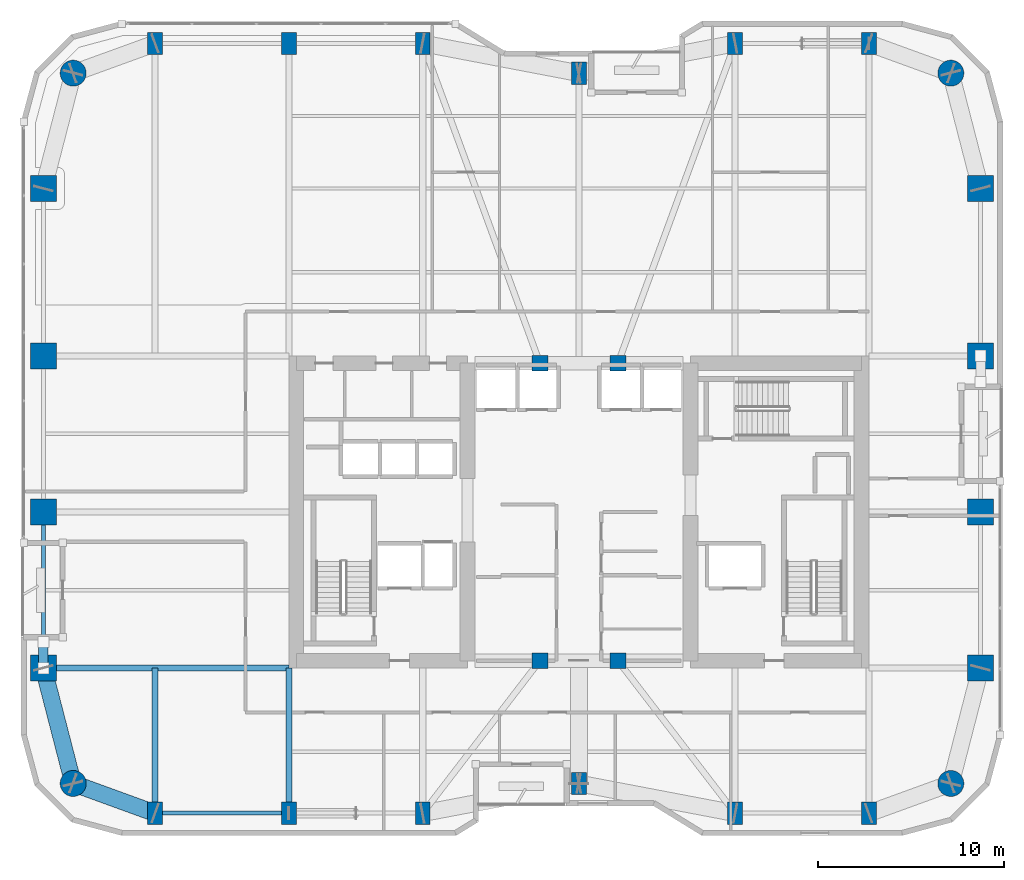
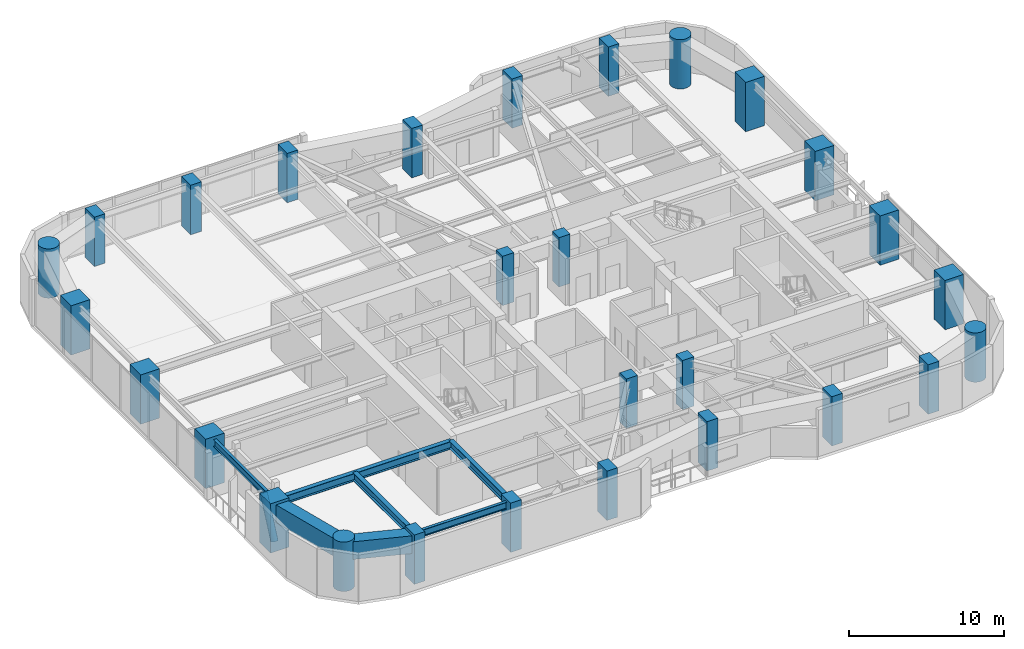
# One storey, part 1 of 30: 28 columns, 7 beams, 1 member.
"""IFC4 building model written with IfcOpenShell, lengths in metres."""

import ifcopenshell
import ifcopenshell.guid

model = None  # the IFC model being written
_history = None  # IfcOwnerHistory: only IFC2X3 demands one
_inside = {}  # id of a spatial element -> (the spatial element, [elements in it])
_under = {}  # id of a project, library or spatial element -> (it, [spatial elements below it])
_declared = {}  # id of a project -> (the project, [libraries it declares])
_typed = {}  # id of a type object -> (the type object, [elements of that type])
_made_of = {}  # id of a material, layer set ... -> (it, [elements and type objects made of it])


def new_model(schema):
    """Start an empty IFC model of exactly this schema.

    Asked for "IFC4X3", IfcOpenShell would pick the latest addendum, in which some entities
    have other attributes; the version numbers below select the first issue.
    IFC2X3 requires an IfcOwnerHistory on every rooted entity: one is made here for all.
    """
    global model, _history
    if schema == "IFC4X3":
        model = ifcopenshell.file(schema_version=(4, 3, 0, 0))
    else:
        model = ifcopenshell.file(schema=schema)
    _inside.clear()
    _under.clear()
    _declared.clear()
    _typed.clear()
    _made_of.clear()
    _history = None
    if model.schema == "IFC2X3":
        org = make("IfcOrganization", Name="unknown")
        user = make(
            "IfcPersonAndOrganization",
            ThePerson=make("IfcPerson", FamilyName="unknown"),
            TheOrganization=org,
        )
        app = make(
            "IfcApplication",
            ApplicationDeveloper=org,
            Version="unknown",
            ApplicationFullName="unknown",
            ApplicationIdentifier="unknown",
        )
        _history = make(
            "IfcOwnerHistory",
            OwningUser=user,
            OwningApplication=app,
            ChangeAction="ADDED",
            CreationDate=0,
        )
    return model


def make(cls, **values):
    """One entity of the class cls with the attributes given. An attribute that is None is left unset."""
    return model.create_entity(
        cls, **{name: value for name, value in values.items() if value is not None}
    )


def rooted(cls, **values):
    """An entity with a GlobalId (a new one), such as an element, a storey or a relation."""
    return make(cls, GlobalId=ifcopenshell.guid.new(), OwnerHistory=_history, **values)


def si_unit(unit_type, name, prefix=None):
    """IfcSIUnit, for example si_unit("LENGTHUNIT", "METRE", prefix="MILLI")."""
    return make("IfcSIUnit", UnitType=unit_type, Prefix=prefix, Name=name)


def assignment(units):
    """IfcUnitAssignment: the units of a project."""
    return None if units is None else make("IfcUnitAssignment", Units=units)


def point(xyz):
    """IfcCartesianPoint."""
    return None if xyz is None else make("IfcCartesianPoint", Coordinates=xyz)


def direction(xyz):
    """IfcDirection."""
    return None if xyz is None else make("IfcDirection", DirectionRatios=xyz)


def frame(location, z_axis=None, x_axis=None):
    """IfcAxis2Placement3D, a coordinate frame: its origin and axes. An axis left out is left unset."""
    return make(
        "IfcAxis2Placement3D",
        Location=point(location),
        Axis=direction(z_axis),
        RefDirection=direction(x_axis),
    )


def frame_2d(location, x_axis=None):
    """IfcAxis2Placement2D, a coordinate frame in the plane: its origin and x axis."""
    return make(
        "IfcAxis2Placement2D", Location=point(location), RefDirection=direction(x_axis)
    )


def origin():
    """The frame at (0, 0, 0) with its axes left unset."""
    return frame((0.0, 0.0, 0.0))


def origin_2d():
    """The frame at (0, 0) in the plane with its x axis left unset."""
    return frame_2d((0.0, 0.0))


def place(relative_to, where):
    """IfcLocalPlacement: puts the frame where relative to a parent placement (None: the world)."""
    return make(
        "IfcLocalPlacement", PlacementRelTo=relative_to, RelativePlacement=where
    )


def context(
    kind, dimensions, precision=None, world=None, true_north=None, identifier=None
):
    """IfcGeometricRepresentationContext, for example the 3D "Model" context."""
    return make(
        "IfcGeometricRepresentationContext",
        ContextIdentifier=identifier,
        ContextType=kind,
        CoordinateSpaceDimension=dimensions,
        Precision=precision,
        WorldCoordinateSystem=world,
        TrueNorth=true_north,
    )


def subcontext(parent, identifier, kind, view, scale=None):
    """IfcGeometricRepresentationSubContext, for example "Body" below "Model"."""
    return make(
        "IfcGeometricRepresentationSubContext",
        ContextIdentifier=identifier,
        ContextType=kind,
        ParentContext=parent,
        TargetScale=scale,
        TargetView=view,
    )


def project(units=None, contexts=None):
    """IfcProject with its units and contexts."""
    return rooted(
        "IfcProject",
        Name="project",
        RepresentationContexts=contexts,
        UnitsInContext=assignment(units),
    )


def spatial(cls, under=None, at=None, **own):
    """A site, building, storey or space (cls), placed at a placement, below another one or the project."""
    s = rooted(cls, ObjectPlacement=at, **own)
    if under is not None:
        _under.setdefault(under.id(), (under, []))[1].append(s)
    return s


def profile(cls, at=None, kind="AREA", **sizes):
    """A parametric profile (cls). Its sizes go by their IFC names, for example OverallWidth=200.0."""
    return make(cls, ProfileType=kind, Position=at, **sizes)


def rectangle(**sizes):
    """IfcRectangleProfileDef."""
    return profile("IfcRectangleProfileDef", **sizes)


def hollow_rectangle(**sizes):
    """IfcRectangleHollowProfileDef."""
    return profile("IfcRectangleHollowProfileDef", **sizes)


def circle(**sizes):
    """IfcCircleProfileDef."""
    return profile("IfcCircleProfileDef", **sizes)


def hollow_circle(**sizes):
    """IfcCircleHollowProfileDef."""
    return profile("IfcCircleHollowProfileDef", **sizes)


def i_section(**sizes):
    """IfcIShapeProfileDef."""
    return profile("IfcIShapeProfileDef", **sizes)


def extrude(swept, where, along, depth):
    """IfcExtrudedAreaSolid: the profile swept, set in the frame where, extruded along a direction by depth."""
    return make(
        "IfcExtrudedAreaSolid",
        SweptArea=swept,
        Position=where,
        ExtrudedDirection=direction(along),
        Depth=depth,
    )


def shape(context_of_items, identifier, shape_type, items):
    """IfcShapeRepresentation: the items that make up one representation, for example the "Body"."""
    return make(
        "IfcShapeRepresentation",
        ContextOfItems=context_of_items,
        RepresentationIdentifier=identifier,
        RepresentationType=shape_type,
        Items=items,
    )


def material(Name=None, Category=None):
    """IfcMaterial."""
    return make("IfcMaterial", Name=Name, Category=Category)


def material_profile(
    of_material, cross_section, Name=None, Category=None, Priority=None
):
    """IfcMaterialProfile: a cross section and its material."""
    return make(
        "IfcMaterialProfile",
        Name=Name,
        Material=of_material,
        Profile=cross_section,
        Priority=Priority,
        Category=Category,
    )


def profile_set(profiles, Name=None, composite=None):
    """IfcMaterialProfileSet."""
    return make(
        "IfcMaterialProfileSet",
        Name=Name,
        MaterialProfiles=profiles,
        CompositeProfile=composite,
    )


def made_of(thing, what):
    """Note that an element or type object is made of a material, layer set ...; save() writes the relation."""
    if what is not None:
        _made_of.setdefault(what.id(), (what, []))[1].append(thing)
    return thing


def type_object(cls, material=None, **own):
    """A type object (cls), such as IfcWallType, which elements share."""
    return made_of(rooted(cls, **own), material)


def element(
    cls,
    number,
    at=None,
    inside=None,
    cuts=None,
    type_object=None,
    material=None,
    context=None,
    identifier="Body",
    shape_type=None,
    held_by="IfcProductDefinitionShape",
    body=None,
    shapes=None,
    **own,
):
    """One element of the class cls, such as IfcWall. Its Tag is "e" and its number.

    at: its placement. inside: the storey or other place that contains it. cuts: it is an
    opening in that element (IfcRelVoidsElement). A single representation is given by context,
    identifier, shape_type and body (its items); several are given by shapes. held_by: the class
    of the entity that holds the representations. save() writes the other relations.
    """
    e = rooted(cls, Tag="e%d" % number, ObjectPlacement=at, **own)
    if body is not None:
        shapes = [shape(context, identifier, shape_type, body)]
    if shapes is not None:
        e.Representation = make(held_by, Representations=shapes)
    if inside is not None:
        _inside.setdefault(inside.id(), (inside, []))[1].append(e)
    if cuts is not None:
        rooted(
            "IfcRelVoidsElement", RelatingBuildingElement=cuts, RelatedOpeningElement=e
        )
    if type_object is not None:
        _typed.setdefault(type_object.id(), (type_object, []))[1].append(e)
    return made_of(e, material)


def aggregate(whole, parts):
    """IfcRelAggregates: a whole, such as a stair, and the parts it consists of."""
    return rooted("IfcRelAggregates", RelatingObject=whole, RelatedObjects=parts)


def save(model, path):
    """Write the relations noted so far, then the file.

    IfcRelAggregates (storeys below a building ...), IfcRelContainedInSpatialStructure (elements
    in a storey), IfcRelDefinesByType, IfcRelAssociatesMaterial and IfcRelDeclares: one each for
    every whole, place, type object, material and project.
    """
    for whole, parts in _under.values():
        aggregate(whole, parts)
    for where, things in _inside.values():
        rooted(
            "IfcRelContainedInSpatialStructure",
            RelatedElements=things,
            RelatingStructure=where,
        )
    for kind, things in _typed.values():
        rooted("IfcRelDefinesByType", RelatedObjects=things, RelatingType=kind)
    for what, things in _made_of.values():
        rooted("IfcRelAssociatesMaterial", RelatedObjects=things, RelatingMaterial=what)
    for by, libraries in _declared.values():
        rooted("IfcRelDeclares", RelatingContext=by, RelatedDefinitions=libraries)
    model.write(path)


model = new_model("IFC4")

# Units and contexts
model_context = context("Model", 3, precision=1e-05, world=origin(), true_north=direction((0.0, 1.0)))
body_context = subcontext(model_context, "Body", "Model", "MODEL_VIEW")
ifc_project = project(units=[si_unit("LENGTHUNIT", "METRE"), si_unit("AREAUNIT", "SQUARE_METRE"), si_unit("VOLUMEUNIT", "CUBIC_METRE"), si_unit("PLANEANGLEUNIT", "RADIAN"), si_unit("MASSUNIT", "GRAM", prefix="KILO")], contexts=[model_context])

# Site, building, storey
site_placement = place(None, origin())
site = spatial("IfcSite", under=ifc_project, at=site_placement, CompositionType="ELEMENT")
building_placement = place(site_placement, origin())
building = spatial("IfcBuilding", under=site, at=building_placement, Name="Kiyonajd Concourse Tower", CompositionType="ELEMENT")
storey_placement = place(building_placement, frame((0.0, 0.0, 150.60009765625)))
storey = spatial("IfcBuildingStorey", under=building, at=storey_placement, Name="L38", CompositionType="ELEMENT", Elevation=150.60009765625)

# Columns
ifc_material_1 = material(Name="Concrete C70/85", Category="concrete")
ifc_material_profile_1 = material_profile(ifc_material_1, rectangle(XDim=0.800048828125, YDim=1.199951171875, at=origin_2d()), Name="RC-1200x800")
ifc_profile_set_1 = profile_set([ifc_material_profile_1], Name="Concrete C70/85")
column_type_1 = type_object("IfcColumnType", Name="CL-BLADE-1200", PredefinedType="COLUMN", material=ifc_profile_set_1)
for number, where, z_axis, x_axis, name in (
    (1, (25.199951171875, 19.800048828125, 0.0), (0.0, 0.0, 1.0), (1.0, 0.0, 0.0), "L38 Perimeter Bundled Tube Column"),
    (2, (25.199951171875, 61.199951171875, 0.0), (0.0, 0.0, 1.0), (1.0, 0.0, 0.0), "L38 Perimeter Bundled Tube Column"),
    (3, (32.39990234375, 19.800048828125, 0.0), (0.0, 0.0, 1.0), (1.0, 0.0, 0.0), "L38 Perimeter Bundled Tube Column"),
    (4, (32.39990234375, 61.199951171875, 0.0), (0.0, 0.0, 1.0), (1.0, 0.0, 0.0), "L38 Perimeter Bundled Tube Column"),
    (5, (39.60009765625, 19.800048828125, 0.0), (0.0, 0.0, 1.0), (1.0, 0.0, 0.0), "L38 Perimeter Bundled Tube Column"),
    (6, (39.60009765625, 61.199951171875, 0.0), (0.0, 0.0, 1.0), (1.0, 0.0, 0.0), "L38 Perimeter Bundled Tube Column"),
    (7, (48.0, 21.39990234375, 0.0), (0.0, 0.0, 1.0), (1.0, 0.0, 0.0), "L38 Perimeter Bundled Tube Column"),
    (8, (48.0, 59.60009765625, 0.0), (0.0, 0.0, 1.0), (1.0, 0.0, 0.0), "L38 Perimeter Bundled Tube Column"),
    (9, (56.39990234375, 19.800048828125, 0.0), (0.0, 0.0, 1.0), (1.0, 0.0, 0.0), "L38 Perimeter Bundled Tube Column"),
    (10, (56.39990234375, 61.199951171875, 0.0), (0.0, 0.0, 1.0), (1.0, 0.0, 0.0), "L38 Perimeter Bundled Tube Column"),
    (11, (63.60009765625, 19.800048828125, 0.0), (0.0, 0.0, 1.0), (1.0, 0.0, 0.0), "L38 Perimeter Bundled Tube Column"),
    (12, (63.60009765625, 61.199951171875, 0.0), (0.0, 0.0, 1.0), (1.0, 0.0, 0.0), "L38 Perimeter Bundled Tube Column"),
):
    element("IfcColumn", number, at=place(storey_placement, frame(where, z_axis=z_axis, x_axis=x_axis)), inside=storey, type_object=column_type_1, Name=name, PredefinedType="COLUMN", context=body_context, shape_type="SweptSolid", body=[
        extrude(rectangle(XDim=0.800048828125, YDim=1.199951171875, at=origin_2d()), origin(), (0.0, 0.0, 1.0), 3.89990234375),
    ])
ifc_material_2 = material(Name="Concrete C80/95", Category="concrete")
ifc_material_profile_2 = material_profile(ifc_material_2, circle(Radius=0.699951171875, at=origin_2d()), Name="RCC-D1400")
ifc_profile_set_2 = profile_set([ifc_material_profile_2], Name="Concrete C80/95")
column_type_2 = type_object("IfcColumnType", Name="CL-RND-1400", PredefinedType="COLUMN", material=ifc_profile_set_2)
for number, where, z_axis, x_axis, name in (
    (13, (20.800048828125, 21.39990234375, 0.0), (0.0, 0.0, 1.0), (1.0, 0.0, 0.0), "L38 Bundled Tube Corner Column South West"),
    (14, (68.0, 21.39990234375, 0.0), (0.0, 0.0, 1.0), (1.0, 0.0, 0.0), "L38 Bundled Tube Corner Column South East"),
    (15, (68.0, 59.60009765625, 0.0), (0.0, 0.0, 1.0), (1.0, 0.0, 0.0), "L38 Bundled Tube Corner Column North East"),
    (16, (20.800048828125, 59.60009765625, 0.0), (0.0, 0.0, 1.0), (1.0, 0.0, 0.0), "L38 Bundled Tube Corner Column North West"),
):
    element("IfcColumn", number, at=place(storey_placement, frame(where, z_axis=z_axis, x_axis=x_axis)), inside=storey, type_object=column_type_2, Name=name, PredefinedType="COLUMN", context=body_context, shape_type="SweptSolid", body=[
        extrude(circle(Radius=0.699951171875, at=origin_2d()), origin(), (0.0, 0.0, 1.0), 3.89990234375),
    ])
ifc_material_profile_3 = material_profile(ifc_material_1, rectangle(XDim=1.39990234375, YDim=1.39990234375, at=origin_2d()), Name="RC-1400x1400")
ifc_profile_set_3 = profile_set([ifc_material_profile_3], Name="Concrete C70/85")
column_type_3 = type_object("IfcColumnType", Name="CL-TUBE-1400", PredefinedType="COLUMN", material=ifc_profile_set_3)
for number, where, z_axis, x_axis, name in (
    (17, (19.199951171875, 27.60009765625, 0.0), (0.0, 0.0, 1.0), (1.0, 0.0, 0.0), "L38 Perimeter Bundled Tube Column"),
    (18, (69.60009765625, 27.60009765625, 0.0), (0.0, 0.0, 1.0), (1.0, 0.0, 0.0), "L38 Perimeter Bundled Tube Column"),
    (19, (19.199951171875, 36.0, 0.0), (0.0, 0.0, 1.0), (1.0, 0.0, 0.0), "L38 Perimeter Bundled Tube Column"),
    (20, (69.60009765625, 36.0, 0.0), (0.0, 0.0, 1.0), (1.0, 0.0, 0.0), "L38 Perimeter Bundled Tube Column"),
    (21, (19.199951171875, 44.39990234375, 0.0), (0.0, 0.0, 1.0), (1.0, 0.0, 0.0), "L38 Perimeter Bundled Tube Column"),
    (22, (69.60009765625, 44.39990234375, 0.0), (0.0, 0.0, 1.0), (1.0, 0.0, 0.0), "L38 Perimeter Bundled Tube Column"),
    (23, (19.199951171875, 53.39990234375, 0.0), (0.0, 0.0, 1.0), (1.0, 0.0, 0.0), "L38 Perimeter Bundled Tube Column"),
    (24, (69.60009765625, 53.39990234375, 0.0), (0.0, 0.0, 1.0), (1.0, 0.0, 0.0), "L38 Perimeter Bundled Tube Column"),
):
    element("IfcColumn", number, at=place(storey_placement, frame(where, z_axis=z_axis, x_axis=x_axis)), inside=storey, type_object=column_type_3, Name=name, PredefinedType="COLUMN", context=body_context, shape_type="SweptSolid", body=[
        extrude(rectangle(XDim=1.39990234375, YDim=1.39990234375, at=origin_2d()), origin(), (0.0, 0.0, 1.0), 3.89990234375),
    ])
ifc_material_3 = material(Name="Concrete C60/75", Category="concrete")
ifc_material_profile_4 = material_profile(ifc_material_3, rectangle(XDim=0.85009765625, YDim=0.85009765625, at=origin_2d()), Name="RC-850x850")
ifc_profile_set_4 = profile_set([ifc_material_profile_4], Name="Concrete C60/75")
column_type_4 = type_object("IfcColumnType", Name="CL-TUBE-850", PredefinedType="COLUMN", material=ifc_profile_set_4)
for number, where, z_axis, x_axis, name in (
    (25, (45.89990234375, 28.0, 0.0), (0.0, 0.0, 1.0), (1.0, 0.0, 0.0), "L38 Core Tie Column South West"),
    (26, (50.10009765625, 28.0, 0.0), (0.0, 0.0, 1.0), (1.0, 0.0, 0.0), "L38 Core Tie Column South East"),
    (27, (45.89990234375, 44.0, 0.0), (0.0, 0.0, 1.0), (1.0, 0.0, 0.0), "L38 Core Tie Column North West"),
    (28, (50.10009765625, 44.0, 0.0), (0.0, 0.0, 1.0), (1.0, 0.0, 0.0), "L38 Core Tie Column North East"),
):
    element("IfcColumn", number, at=place(storey_placement, frame(where, z_axis=z_axis, x_axis=x_axis)), inside=storey, type_object=column_type_4, Name=name, PredefinedType="COLUMN", context=body_context, shape_type="SweptSolid", body=[
        extrude(rectangle(XDim=0.85009765625, YDim=0.85009765625, at=origin_2d()), origin(), (0.0, 0.0, 1.0), 3.89990234375),
    ])

# Beams
ifc_material_4 = material(Name="Steel ASTM A992 Grade 50", Category="steel")
ifc_material_profile_5 = material_profile(ifc_material_4, i_section(OverallWidth=0.214111328125, OverallDepth=0.549072265625, WebThickness=0.0146484375, FlangeThickness=0.023681640625, at=origin_2d()), Name="W530X138")
ifc_profile_set_5 = profile_set([ifc_material_profile_5], Name="Steel ASTM A992 Grade 50")
beam_type_1 = type_object("IfcBeamType", Name="BM-SPAN-530A", PredefinedType="SPANDREL", material=ifc_profile_set_5)
beam_1_placement = place(storey_placement, frame((25.199951171875, 19.800048828125, 3.405517578125), z_axis=(1.0, 0.0, 0.0), x_axis=(0.0, 1.0, 0.0)))
element("IfcBeam", 29, at=beam_1_placement, inside=storey, type_object=beam_type_1, Name="L38 Perimeter Bundled Tube Spandrel", PredefinedType="SPANDREL", context=body_context, shape_type="SweptSolid", body=[
    extrude(i_section(OverallWidth=0.214111328125, OverallDepth=0.549072265625, WebThickness=0.0146484375, FlangeThickness=0.023681640625, at=origin_2d()), origin(), (0.0, 0.0, 1.0), 7.199951171875),
])
beam_2_placement = place(storey_placement, frame((19.199951171875, 36.0, 3.405517578125), z_axis=(0.0, -1.0, 0.0), x_axis=(1.0, 0.0, 0.0)))
element("IfcBeam", 30, at=beam_2_placement, inside=storey, type_object=beam_type_1, Name="L38 Perimeter Bundled Tube Spandrel", PredefinedType="SPANDREL", context=body_context, shape_type="SweptSolid", body=[
    extrude(i_section(OverallWidth=0.214111328125, OverallDepth=0.549072265625, WebThickness=0.0146484375, FlangeThickness=0.023681640625, at=origin_2d()), origin(), (0.0, 0.0, 1.0), 8.39990234375),
])
ifc_material_profile_6 = material_profile(ifc_material_4, i_section(OverallWidth=0.326904296875, OverallDepth=0.6220703125, WebThickness=0.015380859375, FlangeThickness=0.0244140625, at=origin_2d()), Name="W610X195")
ifc_profile_set_6 = profile_set([ifc_material_profile_6], Name="Steel ASTM A992 Grade 50")
beam_type_2 = type_object("IfcBeamType", Name="BM-TWR-610A", PredefinedType="BEAM", material=ifc_profile_set_6)
for number, where, z_axis, x_axis, name in (
    (31, (25.199951171875, 19.800048828125, 3.368896484375), (0.0, 1.0, 0.0), (-1.0, 0.0, 0.0), "L38 South Lease Girder"),
    (32, (32.39990234375, 19.800048828125, 3.368896484375), (0.0, 1.0, 0.0), (-1.0, 0.0, 0.0), "L38 South Lease Girder"),
):
    element("IfcBeam", number, at=place(storey_placement, frame(where, z_axis=z_axis, x_axis=x_axis)), inside=storey, type_object=beam_type_2, Name=name, PredefinedType="BEAM", context=body_context, shape_type="SweptSolid", body=[
        extrude(i_section(OverallWidth=0.326904296875, OverallDepth=0.6220703125, WebThickness=0.015380859375, FlangeThickness=0.0244140625, at=origin_2d()), origin(), (0.0, 0.0, 1.0), 7.800048828125),
    ])
beam_3_placement = place(storey_placement, frame((19.199951171875, 27.60009765625, 3.368896484375), z_axis=(1.0, 0.0, 0.0), x_axis=(0.0, 1.0, 0.0)))
element("IfcBeam", 33, at=beam_3_placement, inside=storey, type_object=beam_type_2, Name="L38 West Lease Girder", PredefinedType="BEAM", context=body_context, shape_type="SweptSolid", body=[
    extrude(i_section(OverallWidth=0.326904296875, OverallDepth=0.6220703125, WebThickness=0.015380859375, FlangeThickness=0.0244140625, at=origin_2d()), origin(), (0.0, 0.0, 1.0), 13.199951171875),
])
ifc_material_5 = material(Name="Steel ASTM A572 Grade 50", Category="steel")
ifc_material_profile_7 = material_profile(ifc_material_5, hollow_rectangle(XDim=0.89990234375, YDim=1.39990234375, WallThickness=0.070068359375, at=origin_2d()), Name="BOX-1400x900x70")
ifc_profile_set_7 = profile_set([ifc_material_profile_7], Name="Steel ASTM A572 Grade 50")
beam_type_3 = type_object("IfcBeamType", Name="BM-XFER-1400", PredefinedType="BEAM", material=ifc_profile_set_7)
beam_4_placement = place(storey_placement, frame((19.199951171875, 27.60009765625, 2.97998046875), z_axis=(0.249884937687, -0.968275538221, 0.0), x_axis=(0.968275538221, 0.249884937687, 0.0)))
element("IfcBeam", 34, at=beam_4_placement, inside=storey, type_object=beam_type_3, Name="L38 Perimeter Bundled Tube Spandrel", PredefinedType="BEAM", context=body_context, shape_type="SweptSolid", body=[
    extrude(hollow_rectangle(XDim=0.89990234375, YDim=1.39990234375, WallThickness=0.070068359375, at=origin_2d()), origin(), (0.0, 0.0, 1.0), 6.4033203125),
])
beam_5_placement = place(storey_placement, frame((20.800048828125, 21.39990234375, 2.97998046875), z_axis=(0.939801036019, -0.341722127901, 0.0), x_axis=(0.341722127901, 0.939801036019, 0.0)))
element("IfcBeam", 35, at=beam_5_placement, inside=storey, type_object=beam_type_3, Name="L38 Perimeter Bundled Tube Spandrel", PredefinedType="BEAM", context=body_context, shape_type="SweptSolid", body=[
    extrude(hollow_rectangle(XDim=0.89990234375, YDim=1.39990234375, WallThickness=0.070068359375, at=origin_2d()), origin(), (0.0, 0.0, 1.0), 4.681640625),
])

# Member
ifc_material_6 = material(Name="Steel ASTM A500 Grade C", Category="steel")
ifc_material_profile_8 = material_profile(ifc_material_6, hollow_circle(Radius=0.25390625, WallThickness=0.02197265625, at=origin_2d()), Name="CHS-508x22")
ifc_profile_set_8 = profile_set([ifc_material_profile_8], Name="Steel ASTM A500 Grade C")
member_type = type_object("IfcMemberType", Name="MB-PB-MID", PredefinedType="BRACE", material=ifc_profile_set_8)
member_placement = place(storey_placement, frame((19.199951171875, 27.60009765625, 0.2998046875), z_axis=(0.0, 0.419410666774, 0.907796614114), x_axis=(-1.0, 0.0, 0.0)))
element("IfcMember", 36, at=member_placement, inside=storey, type_object=member_type, Name="L38 Upper Zone Hollow Tube Brace PBW", PredefinedType="BRACE", context=body_context, shape_type="SweptSolid", body=[
    extrude(hollow_circle(Radius=0.25390625, WallThickness=0.02197265625, at=origin_2d()), origin(), (0.0, 0.0, 1.0), 3.337890625),
])

save(model, "model.ifc")
